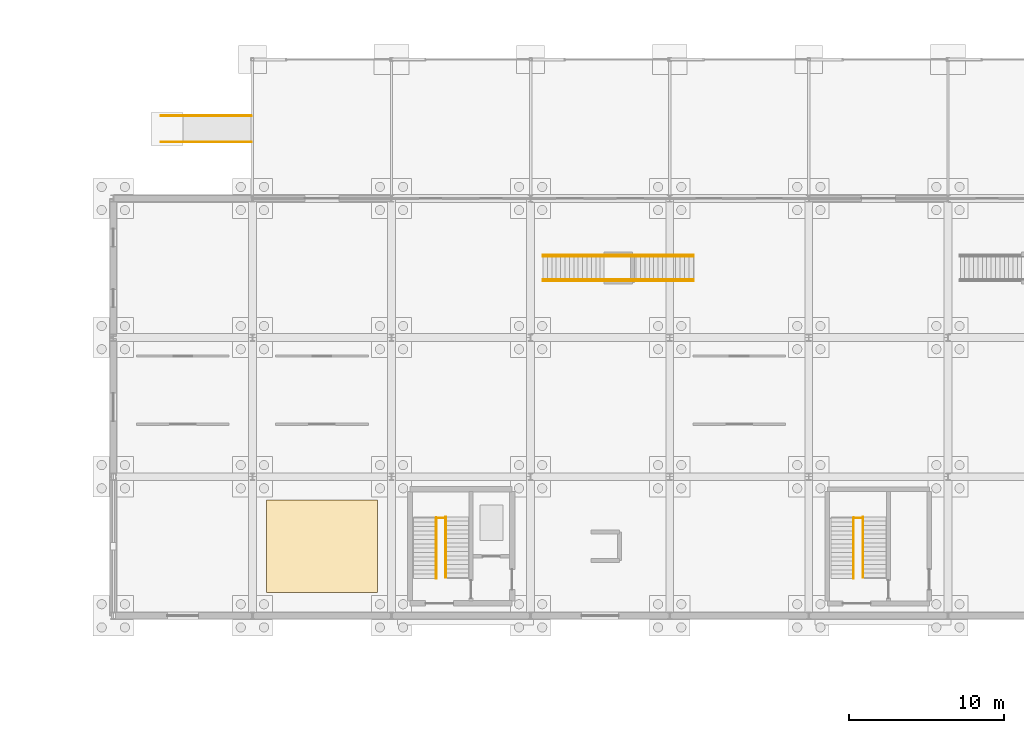
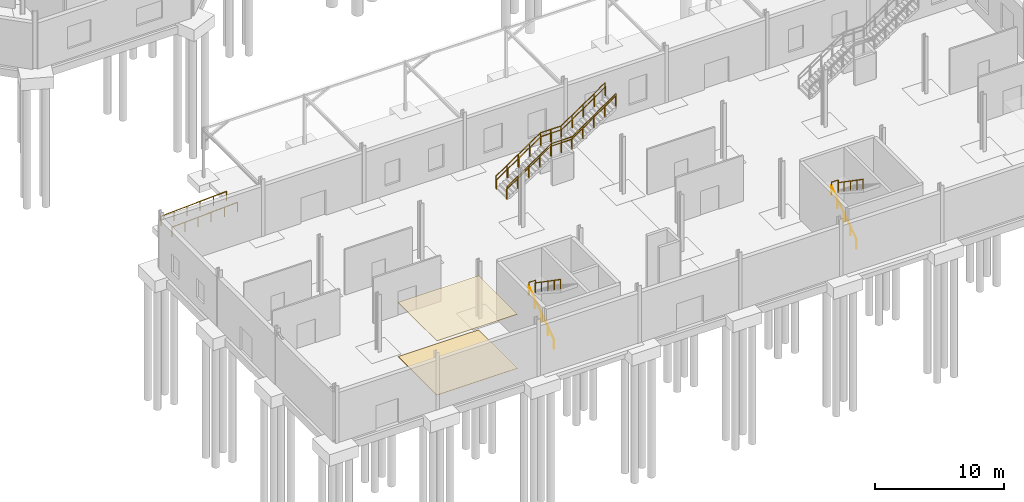
# One storey, part 105 of 118: 12 railings, 2 coverings.
"""IFC4 building model written with IfcOpenShell, lengths in metres."""

from ifc_helpers import new_model, si_unit, direction, frame, origin, origin_2d, place, context, subcontext, project, spatial, rectangle, circle, extrude, material, layer, layer_set, type_object, element, save


model = new_model("IFC4")

# Units and contexts
model_context = context("Model", 3, precision=1e-05, world=origin(), true_north=direction((0.0, 1.0)))
body_context = subcontext(model_context, "Body", "Model", "MODEL_VIEW")
ifc_project = project(units=[si_unit("LENGTHUNIT", "METRE"), si_unit("AREAUNIT", "SQUARE_METRE"), si_unit("VOLUMEUNIT", "CUBIC_METRE"), si_unit("PLANEANGLEUNIT", "RADIAN"), si_unit("MASSUNIT", "GRAM", prefix="KILO")], contexts=[model_context])

# Site, building, storey
site_placement = place(None, origin())
site = spatial("IfcSite", under=ifc_project, at=site_placement, CompositionType="ELEMENT")
building_placement = place(site_placement, origin())
building = spatial("IfcBuilding", under=site, at=building_placement, Name="Kildeholm Park Wholesale Market", CompositionType="ELEMENT")
storey_placement = place(building_placement, origin())
storey = spatial("IfcBuildingStorey", under=building, at=storey_placement, Name="L00", CompositionType="ELEMENT", Elevation=0.0)

# Coverings
ifc_material_1 = material(Name="Polished terrazzo flooring")
ifc_layer_1 = layer(ifc_material_1, 0.030029296875)
ifc_layer_set_1 = layer_set([ifc_layer_1], Name="Polished terrazzo flooring")
covering_type_1 = type_object("IfcCoveringType", Name="Heavy-duty terrazzo market flooring CV-FLR1 30 mm", PredefinedType="FLOORING", material=ifc_layer_set_1)
covering_1_placement = place(storey_placement, frame((22.5, 4.5, 0.0), z_axis=(0.0, 0.0, 1.0), x_axis=(1.0, 0.0, 0.0)))
element("IfcCovering", 1, at=covering_1_placement, inside=storey, type_object=covering_type_1, Name="Market floor finish 1 COV-0041", PredefinedType="FLOORING", context=body_context, shape_type="SweptSolid", body=[
    extrude(rectangle(XDim=7.199951171875, YDim=6.0, at=origin_2d()), origin(), (0.0, 0.0, 1.0), 0.030029296875),
])
ifc_material_2 = material(Name="Washable acoustic mineral-fibre and aluminium ceiling", Category="aluminium")
ifc_layer_2 = layer(ifc_material_2, 0.044921875)
ifc_layer_set_2 = layer_set([ifc_layer_2], Name="Washable acoustic mineral-fibre and aluminium ceiling")
covering_type_2 = type_object("IfcCoveringType", Name="Hygienic acoustic suspended ceiling CV-CLG1 45 mm", PredefinedType="CEILING", material=ifc_layer_set_2)
covering_2_placement = place(storey_placement, frame((22.5, 4.5, 5.10498046875), z_axis=(0.0, 0.0, 1.0), x_axis=(1.0, 0.0, 0.0)))
element("IfcCovering", 2, at=covering_2_placement, inside=storey, type_object=covering_type_2, Name="Acoustic ceiling 1 COV-0042", PredefinedType="CEILING", context=body_context, shape_type="SweptSolid", body=[
    extrude(rectangle(XDim=7.199951171875, YDim=6.0, at=origin_2d()), origin(), (0.0, 0.0, 1.0), 0.044921875),
])

# Railings
ifc_material_3 = material(Name="Painted steel and laminated glass balustrade", Category="steel")
railing_type_1 = type_object("IfcRailingType", Name="Interior gallery and stairwell guard GR-IN1 1200 mm", PredefinedType="GUARDRAIL", material=ifc_material_3)
for number, where, name in (
    (3, (29.89990234375, 6.330078125, 2.699951171875), "Stair C04 half-landing well guard L00 RLG-0050"),
    (4, (56.89990234375, 6.330078125, 2.699951171875), "Stair C05 half-landing well guard L00 RLG-0062"),
):
    element("IfcRailing", number, at=place(storey_placement, frame(where)), inside=storey, type_object=railing_type_1, Name=name, PredefinedType="GUARDRAIL", context=body_context, shape_type="SweptSolid", body=[
        extrude(circle(Radius=0.02392578125, at=origin_2d()), frame((0.0, 0.0, 1.17578125), z_axis=(1.0, 0.0, 0.0), x_axis=(0.0, 1.0, 0.0)), (0.0, 0.0, 1.0), 0.610107421875),
        extrude(circle(Radius=0.02099609375, at=origin_2d()), origin(), (0.0, 0.0, 1.0), 1.15185546875),
        extrude(circle(Radius=0.02099609375, at=origin_2d()), frame((0.610107421875, 0.0, 0.0)), (0.0, 0.0, 1.0), 1.15185546875),
    ])
railing_1_placement = place(storey_placement, frame((36.800048828125, 21.659912109375, 0.0)))
element("IfcRailing", 5, at=railing_1_placement, inside=storey, type_object=railing_type_1, Name="Feature stair guard ST-FT01 S RLG-0154", PredefinedType="GUARDRAIL", context=body_context, shape_type="SweptSolid", body=[
    extrude(circle(Radius=0.02392578125, at=origin_2d()), frame((0.0, 0.0, 1.17578125), z_axis=(0.825565005729, 0.0, 0.564307027527), x_axis=(0.0, 1.0, 0.0)), (0.0, 0.0, 1.0), 4.784423828125),
    extrude(circle(Radius=0.02392578125, at=origin_2d()), frame((3.949951171875, 0.0, 3.8759765625), z_axis=(1.0, 0.0, 0.0), x_axis=(0.0, 1.0, 0.0)), (0.0, 0.0, 1.0), 1.85009765625),
    extrude(circle(Radius=0.02392578125, at=origin_2d()), frame((5.800048828125, 0.0, 3.8759765625), z_axis=(0.82422564366, 0.0, 0.566261501723), x_axis=(0.0, 1.0, 0.0)), (0.0, 0.0, 1.0), 4.76806640625),
    extrude(circle(Radius=0.02099609375, at=origin_2d()), origin(), (0.0, 0.0, 1.0), 1.15185546875),
    extrude(circle(Radius=0.02099609375, at=origin_2d()), frame((0.987548828125, 0.0, 0.675048828125)), (0.0, 0.0, 1.0), 1.15185546875),
    extrude(circle(Radius=0.02099609375, at=origin_2d()), frame((1.97509765625, 0.0, 1.35009765625)), (0.0, 0.0, 1.0), 1.15185546875),
    extrude(circle(Radius=0.02099609375, at=origin_2d()), frame((2.96240234375, 0.0, 2.02490234375)), (0.0, 0.0, 1.0), 1.15185546875),
    extrude(circle(Radius=0.02099609375, at=origin_2d()), frame((3.949951171875, 0.0, 2.699951171875)), (0.0, 0.0, 1.0), 1.15185546875),
    extrude(circle(Radius=0.02099609375, at=origin_2d()), frame((4.875, 0.0, 2.699951171875)), (0.0, 0.0, 1.0), 1.15185546875),
    extrude(circle(Radius=0.02099609375, at=origin_2d()), frame((5.800048828125, 0.0, 2.699951171875)), (0.0, 0.0, 1.0), 1.15185546875),
    extrude(circle(Radius=0.02099609375, at=origin_2d()), frame((6.782470703125, 0.0, 3.375)), (0.0, 0.0, 1.0), 1.15185546875),
    extrude(circle(Radius=0.02099609375, at=origin_2d()), frame((7.76513671875, 0.0, 4.0498046875)), (0.0, 0.0, 1.0), 1.15185546875),
    extrude(circle(Radius=0.02099609375, at=origin_2d()), frame((8.74755859375, 0.0, 4.724853515625)), (0.0, 0.0, 1.0), 1.15185546875),
    extrude(circle(Radius=0.02099609375, at=origin_2d()), frame((9.72998046875, 0.0, 5.39990234375)), (0.0, 0.0, 1.0), 1.15185546875),
])
railing_2_placement = place(storey_placement, frame((36.800048828125, 23.340087890625, 0.0)))
element("IfcRailing", 6, at=railing_2_placement, inside=storey, type_object=railing_type_1, Name="Feature stair guard ST-FT01 N RLG-0156", PredefinedType="GUARDRAIL", context=body_context, shape_type="SweptSolid", body=[
    extrude(circle(Radius=0.02392578125, at=origin_2d()), frame((0.0, 0.0, 1.17578125), z_axis=(0.825565005729, 0.0, 0.564307027527), x_axis=(0.0, 1.0, 0.0)), (0.0, 0.0, 1.0), 4.784423828125),
    extrude(circle(Radius=0.02392578125, at=origin_2d()), frame((3.949951171875, 0.0, 3.8759765625), z_axis=(1.0, 0.0, 0.0), x_axis=(0.0, 1.0, 0.0)), (0.0, 0.0, 1.0), 1.85009765625),
    extrude(circle(Radius=0.02392578125, at=origin_2d()), frame((5.800048828125, 0.0, 3.8759765625), z_axis=(0.82422564366, 0.0, 0.566261501723), x_axis=(0.0, 1.0, 0.0)), (0.0, 0.0, 1.0), 4.76806640625),
    extrude(circle(Radius=0.02099609375, at=origin_2d()), origin(), (0.0, 0.0, 1.0), 1.15185546875),
    extrude(circle(Radius=0.02099609375, at=origin_2d()), frame((0.987548828125, 0.0, 0.675048828125)), (0.0, 0.0, 1.0), 1.15185546875),
    extrude(circle(Radius=0.02099609375, at=origin_2d()), frame((1.97509765625, 0.0, 1.35009765625)), (0.0, 0.0, 1.0), 1.15185546875),
    extrude(circle(Radius=0.02099609375, at=origin_2d()), frame((2.96240234375, 0.0, 2.02490234375)), (0.0, 0.0, 1.0), 1.15185546875),
    extrude(circle(Radius=0.02099609375, at=origin_2d()), frame((3.949951171875, 0.0, 2.699951171875)), (0.0, 0.0, 1.0), 1.15185546875),
    extrude(circle(Radius=0.02099609375, at=origin_2d()), frame((4.875, 0.0, 2.699951171875)), (0.0, 0.0, 1.0), 1.15185546875),
    extrude(circle(Radius=0.02099609375, at=origin_2d()), frame((5.800048828125, 0.0, 2.699951171875)), (0.0, 0.0, 1.0), 1.15185546875),
    extrude(circle(Radius=0.02099609375, at=origin_2d()), frame((6.782470703125, 0.0, 3.375)), (0.0, 0.0, 1.0), 1.15185546875),
    extrude(circle(Radius=0.02099609375, at=origin_2d()), frame((7.76513671875, 0.0, 4.0498046875)), (0.0, 0.0, 1.0), 1.15185546875),
    extrude(circle(Radius=0.02099609375, at=origin_2d()), frame((8.74755859375, 0.0, 4.724853515625)), (0.0, 0.0, 1.0), 1.15185546875),
    extrude(circle(Radius=0.02099609375, at=origin_2d()), frame((9.72998046875, 0.0, 5.39990234375)), (0.0, 0.0, 1.0), 1.15185546875),
])
ifc_material_4 = material(Name="Stainless steel AISI 316 handrail", Category="steel")
railing_type_2 = type_object("IfcRailingType", Name="Ramp handrail HR-EX1 900 mm", PredefinedType="HANDRAIL", material=ifc_material_4)
for number, where, name in (
    (7, (12.080078125, 30.64990234375, -0.300048828125), "Ramp handrail RM-V6-W R RLG-0014"),
    (8, (12.080078125, 32.35009765625, -0.300048828125), "Ramp handrail RM-V6-W L RLG-0015"),
):
    element("IfcRailing", number, at=place(storey_placement, frame(where)), inside=storey, type_object=railing_type_2, Name=name, PredefinedType="HANDRAIL", context=body_context, shape_type="SweptSolid", body=[
        extrude(circle(Radius=0.02392578125, at=origin_2d()), frame((0.0, 0.0, 0.8759765625), z_axis=(0.998687171473, 0.0, 0.051224345133), x_axis=(0.0, 1.0, 0.0)), (0.0, 0.0, 1.0), 5.857421875),
        extrude(circle(Radius=0.02099609375, at=origin_2d()), origin(), (0.0, 0.0, 1.0), 0.851806640625),
        extrude(circle(Radius=0.02099609375, at=origin_2d()), frame((1.169921875, 0.0, 0.06005859375)), (0.0, 0.0, 1.0), 0.851806640625),
        extrude(circle(Radius=0.02099609375, at=origin_2d()), frame((2.33984375, 0.0, 0.1201171875)), (0.0, 0.0, 1.0), 0.851806640625),
        extrude(circle(Radius=0.02099609375, at=origin_2d()), frame((3.510009765625, 0.0, 0.179931640625)), (0.0, 0.0, 1.0), 0.851806640625),
        extrude(circle(Radius=0.02099609375, at=origin_2d()), frame((4.679931640625, 0.0, 0.239990234375)), (0.0, 0.0, 1.0), 0.851806640625),
        extrude(circle(Radius=0.02099609375, at=origin_2d()), frame((5.849853515625, 0.0, 0.300048828125)), (0.0, 0.0, 1.0), 0.851806640625),
    ])
railing_type_3 = type_object("IfcRailingType", Name="Stair flight handrail HR-IN1 900 mm", PredefinedType="HANDRAIL", material=ifc_material_4)
railing_3_placement = place(storey_placement, frame((29.89990234375, 2.419921875, 0.0)))
element("IfcRailing", 9, at=railing_3_placement, inside=storey, type_object=railing_type_3, Name="Stair C04 flight 1 handrail L00 RLG-0052", PredefinedType="HANDRAIL", context=body_context, shape_type="SweptSolid", body=[
    extrude(circle(Radius=0.02392578125, at=origin_2d()), frame((0.0, 0.0, 0.8759765625), z_axis=(0.0, 0.823567234665, 0.567218661528), x_axis=(-1.0, 0.0, 0.0)), (0.0, 0.0, 1.0), 4.760009765625),
    extrude(circle(Radius=0.02099609375, at=origin_2d()), origin(), (0.0, 0.0, 1.0), 0.851806640625),
    extrude(circle(Radius=0.02099609375, at=origin_2d()), frame((0.0, 0.97998046875, 0.675048828125)), (0.0, 0.0, 1.0), 0.851806640625),
    extrude(circle(Radius=0.02099609375, at=origin_2d()), frame((0.0, 1.9599609375, 1.35009765625)), (0.0, 0.0, 1.0), 0.851806640625),
    extrude(circle(Radius=0.02099609375, at=origin_2d()), frame((0.0, 2.940185546875, 2.02490234375)), (0.0, 0.0, 1.0), 0.851806640625),
    extrude(circle(Radius=0.02099609375, at=origin_2d()), frame((0.0, 3.920166015625, 2.699951171875)), (0.0, 0.0, 1.0), 0.851806640625),
])
railing_4_placement = place(storey_placement, frame((30.510009765625, 6.39990234375, 2.699951171875)))
element("IfcRailing", 10, at=railing_4_placement, inside=storey, type_object=railing_type_3, Name="Stair C04 flight 2 handrail L00 RLG-0053", PredefinedType="HANDRAIL", context=body_context, shape_type="SweptSolid", body=[
    extrude(circle(Radius=0.02392578125, at=origin_2d()), frame((0.0, 0.0, 0.8759765625), z_axis=(0.0, -0.823550731654, 0.567242622158), x_axis=(1.0, 0.0, 0.0)), (0.0, 0.0, 1.0), 4.759765625),
    extrude(circle(Radius=0.02099609375, at=origin_2d()), origin(), (0.0, 0.0, 1.0), 0.851806640625),
    extrude(circle(Radius=0.02099609375, at=origin_2d()), frame((0.0, -0.97998046875, 0.675048828125)), (0.0, 0.0, 1.0), 0.851806640625),
    extrude(circle(Radius=0.02099609375, at=origin_2d()), frame((0.0, -1.9599609375, 1.35009765625)), (0.0, 0.0, 1.0), 0.851806640625),
    extrude(circle(Radius=0.02099609375, at=origin_2d()), frame((0.0, -2.93994140625, 2.02490234375)), (0.0, 0.0, 1.0), 0.851806640625),
    extrude(circle(Radius=0.02099609375, at=origin_2d()), frame((0.0, -3.919921875, 2.699951171875)), (0.0, 0.0, 1.0), 0.851806640625),
])
railing_5_placement = place(storey_placement, frame((56.89990234375, 2.419921875, 0.0)))
element("IfcRailing", 11, at=railing_5_placement, inside=storey, type_object=railing_type_3, Name="Stair C05 flight 1 handrail L00 RLG-0064", PredefinedType="HANDRAIL", context=body_context, shape_type="SweptSolid", body=[
    extrude(circle(Radius=0.02392578125, at=origin_2d()), frame((0.0, 0.0, 0.8759765625), z_axis=(0.0, 0.823567234665, 0.567218661528), x_axis=(-1.0, 0.0, 0.0)), (0.0, 0.0, 1.0), 4.760009765625),
    extrude(circle(Radius=0.02099609375, at=origin_2d()), origin(), (0.0, 0.0, 1.0), 0.851806640625),
    extrude(circle(Radius=0.02099609375, at=origin_2d()), frame((0.0, 0.97998046875, 0.675048828125)), (0.0, 0.0, 1.0), 0.851806640625),
    extrude(circle(Radius=0.02099609375, at=origin_2d()), frame((0.0, 1.9599609375, 1.35009765625)), (0.0, 0.0, 1.0), 0.851806640625),
    extrude(circle(Radius=0.02099609375, at=origin_2d()), frame((0.0, 2.940185546875, 2.02490234375)), (0.0, 0.0, 1.0), 0.851806640625),
    extrude(circle(Radius=0.02099609375, at=origin_2d()), frame((0.0, 3.920166015625, 2.699951171875)), (0.0, 0.0, 1.0), 0.851806640625),
])
railing_6_placement = place(storey_placement, frame((57.510009765625, 6.39990234375, 2.699951171875)))
element("IfcRailing", 12, at=railing_6_placement, inside=storey, type_object=railing_type_3, Name="Stair C05 flight 2 handrail L00 RLG-0065", PredefinedType="HANDRAIL", context=body_context, shape_type="SweptSolid", body=[
    extrude(circle(Radius=0.02392578125, at=origin_2d()), frame((0.0, 0.0, 0.8759765625), z_axis=(0.0, -0.823550731654, 0.567242622158), x_axis=(1.0, 0.0, 0.0)), (0.0, 0.0, 1.0), 4.759765625),
    extrude(circle(Radius=0.02099609375, at=origin_2d()), origin(), (0.0, 0.0, 1.0), 0.851806640625),
    extrude(circle(Radius=0.02099609375, at=origin_2d()), frame((0.0, -0.97998046875, 0.675048828125)), (0.0, 0.0, 1.0), 0.851806640625),
    extrude(circle(Radius=0.02099609375, at=origin_2d()), frame((0.0, -1.9599609375, 1.35009765625)), (0.0, 0.0, 1.0), 0.851806640625),
    extrude(circle(Radius=0.02099609375, at=origin_2d()), frame((0.0, -2.93994140625, 2.02490234375)), (0.0, 0.0, 1.0), 0.851806640625),
    extrude(circle(Radius=0.02099609375, at=origin_2d()), frame((0.0, -3.919921875, 2.699951171875)), (0.0, 0.0, 1.0), 0.851806640625),
])
railing_7_placement = place(storey_placement, frame((36.800048828125, 21.743896484375, 0.0)))
element("IfcRailing", 13, at=railing_7_placement, inside=storey, type_object=railing_type_3, Name="Feature stair handrail ST-FT01 S RLG-0155", PredefinedType="HANDRAIL", context=body_context, shape_type="SweptSolid", body=[
    extrude(circle(Radius=0.02392578125, at=origin_2d()), frame((0.0, 0.0, 0.8759765625), z_axis=(0.825565005729, 0.0, 0.564307027527), x_axis=(0.0, 1.0, 0.0)), (0.0, 0.0, 1.0), 4.784423828125),
    extrude(circle(Radius=0.02392578125, at=origin_2d()), frame((3.949951171875, 0.0, 3.57568359375), z_axis=(1.0, 0.0, 0.0), x_axis=(0.0, 1.0, 0.0)), (0.0, 0.0, 1.0), 1.85009765625),
    extrude(circle(Radius=0.02392578125, at=origin_2d()), frame((5.800048828125, 0.0, 3.57568359375), z_axis=(0.82422564366, 0.0, 0.566261501723), x_axis=(0.0, 1.0, 0.0)), (0.0, 0.0, 1.0), 4.76806640625),
    extrude(circle(Radius=0.02099609375, at=origin_2d()), origin(), (0.0, 0.0, 1.0), 0.851806640625),
    extrude(circle(Radius=0.02099609375, at=origin_2d()), frame((0.987548828125, 0.0, 0.675048828125)), (0.0, 0.0, 1.0), 0.851806640625),
    extrude(circle(Radius=0.02099609375, at=origin_2d()), frame((1.97509765625, 0.0, 1.35009765625)), (0.0, 0.0, 1.0), 0.851806640625),
    extrude(circle(Radius=0.02099609375, at=origin_2d()), frame((2.96240234375, 0.0, 2.02490234375)), (0.0, 0.0, 1.0), 0.851806640625),
    extrude(circle(Radius=0.02099609375, at=origin_2d()), frame((3.949951171875, 0.0, 2.699951171875)), (0.0, 0.0, 1.0), 0.851806640625),
    extrude(circle(Radius=0.02099609375, at=origin_2d()), frame((4.875, 0.0, 2.699951171875)), (0.0, 0.0, 1.0), 0.851806640625),
    extrude(circle(Radius=0.02099609375, at=origin_2d()), frame((5.800048828125, 0.0, 2.699951171875)), (0.0, 0.0, 1.0), 0.851806640625),
    extrude(circle(Radius=0.02099609375, at=origin_2d()), frame((6.782470703125, 0.0, 3.375)), (0.0, 0.0, 1.0), 0.851806640625),
    extrude(circle(Radius=0.02099609375, at=origin_2d()), frame((7.76513671875, 0.0, 4.0498046875)), (0.0, 0.0, 1.0), 0.851806640625),
    extrude(circle(Radius=0.02099609375, at=origin_2d()), frame((8.74755859375, 0.0, 4.724853515625)), (0.0, 0.0, 1.0), 0.851806640625),
    extrude(circle(Radius=0.02099609375, at=origin_2d()), frame((9.72998046875, 0.0, 5.39990234375)), (0.0, 0.0, 1.0), 0.851806640625),
])
railing_8_placement = place(storey_placement, frame((36.800048828125, 23.256103515625, 0.0)))
element("IfcRailing", 14, at=railing_8_placement, inside=storey, type_object=railing_type_3, Name="Feature stair handrail ST-FT01 N RLG-0157", PredefinedType="HANDRAIL", context=body_context, shape_type="SweptSolid", body=[
    extrude(circle(Radius=0.02392578125, at=origin_2d()), frame((0.0, 0.0, 0.8759765625), z_axis=(0.825565005729, 0.0, 0.564307027527), x_axis=(0.0, 1.0, 0.0)), (0.0, 0.0, 1.0), 4.784423828125),
    extrude(circle(Radius=0.02392578125, at=origin_2d()), frame((3.949951171875, 0.0, 3.57568359375), z_axis=(1.0, 0.0, 0.0), x_axis=(0.0, 1.0, 0.0)), (0.0, 0.0, 1.0), 1.85009765625),
    extrude(circle(Radius=0.02392578125, at=origin_2d()), frame((5.800048828125, 0.0, 3.57568359375), z_axis=(0.82422564366, 0.0, 0.566261501723), x_axis=(0.0, 1.0, 0.0)), (0.0, 0.0, 1.0), 4.76806640625),
    extrude(circle(Radius=0.02099609375, at=origin_2d()), origin(), (0.0, 0.0, 1.0), 0.851806640625),
    extrude(circle(Radius=0.02099609375, at=origin_2d()), frame((0.987548828125, 0.0, 0.675048828125)), (0.0, 0.0, 1.0), 0.851806640625),
    extrude(circle(Radius=0.02099609375, at=origin_2d()), frame((1.97509765625, 0.0, 1.35009765625)), (0.0, 0.0, 1.0), 0.851806640625),
    extrude(circle(Radius=0.02099609375, at=origin_2d()), frame((2.96240234375, 0.0, 2.02490234375)), (0.0, 0.0, 1.0), 0.851806640625),
    extrude(circle(Radius=0.02099609375, at=origin_2d()), frame((3.949951171875, 0.0, 2.699951171875)), (0.0, 0.0, 1.0), 0.851806640625),
    extrude(circle(Radius=0.02099609375, at=origin_2d()), frame((4.875, 0.0, 2.699951171875)), (0.0, 0.0, 1.0), 0.851806640625),
    extrude(circle(Radius=0.02099609375, at=origin_2d()), frame((5.800048828125, 0.0, 2.699951171875)), (0.0, 0.0, 1.0), 0.851806640625),
    extrude(circle(Radius=0.02099609375, at=origin_2d()), frame((6.782470703125, 0.0, 3.375)), (0.0, 0.0, 1.0), 0.851806640625),
    extrude(circle(Radius=0.02099609375, at=origin_2d()), frame((7.76513671875, 0.0, 4.0498046875)), (0.0, 0.0, 1.0), 0.851806640625),
    extrude(circle(Radius=0.02099609375, at=origin_2d()), frame((8.74755859375, 0.0, 4.724853515625)), (0.0, 0.0, 1.0), 0.851806640625),
    extrude(circle(Radius=0.02099609375, at=origin_2d()), frame((9.72998046875, 0.0, 5.39990234375)), (0.0, 0.0, 1.0), 0.851806640625),
])

save(model, "model.ifc")
